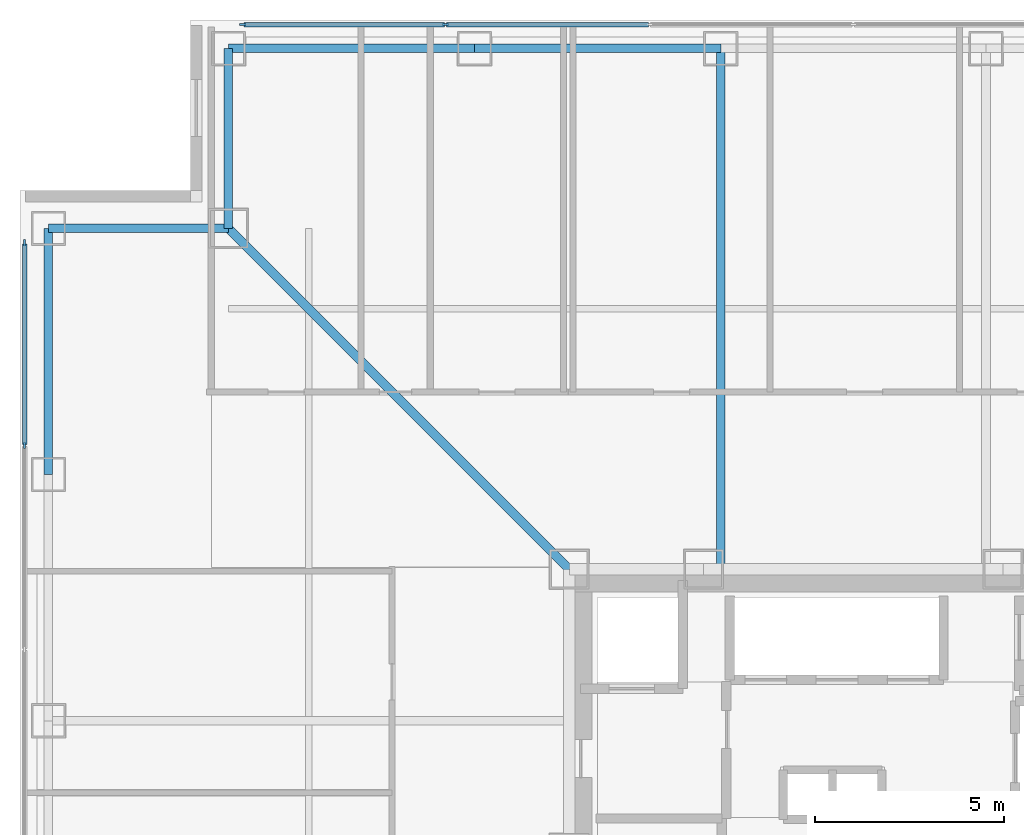
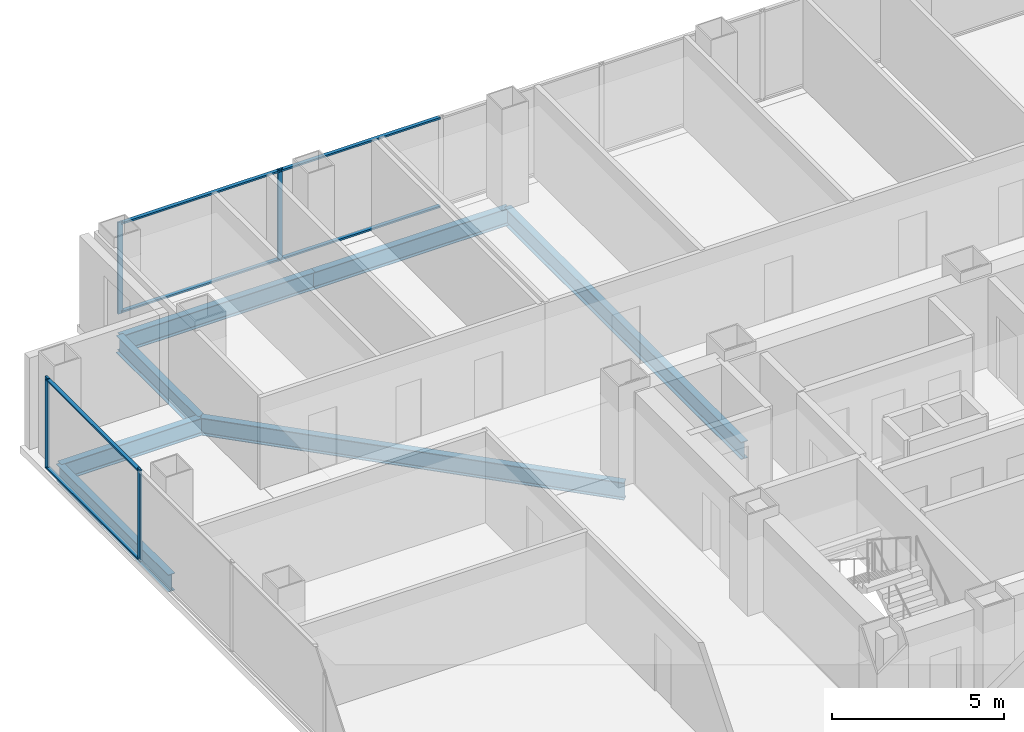
# One storey, part 9 of 18: 10 members, 7 beams, 2 elements without a shape of their own.
"""IFC4 building model written with IfcOpenShell, lengths in metres."""

import ifcopenshell
import ifcopenshell.guid

model = None  # the IFC model being written
_history = None  # IfcOwnerHistory: only IFC2X3 demands one
_inside = {}  # id of a spatial element -> (the spatial element, [elements in it])
_under = {}  # id of a project, library or spatial element -> (it, [spatial elements below it])
_declared = {}  # id of a project -> (the project, [libraries it declares])
_typed = {}  # id of a type object -> (the type object, [elements of that type])
_made_of = {}  # id of a material, layer set ... -> (it, [elements and type objects made of it])


def new_model(schema):
    """Start an empty IFC model of exactly this schema.

    Asked for "IFC4X3", IfcOpenShell would pick the latest addendum, in which some entities
    have other attributes; the version numbers below select the first issue.
    IFC2X3 requires an IfcOwnerHistory on every rooted entity: one is made here for all.
    """
    global model, _history
    if schema == "IFC4X3":
        model = ifcopenshell.file(schema_version=(4, 3, 0, 0))
    else:
        model = ifcopenshell.file(schema=schema)
    _inside.clear()
    _under.clear()
    _declared.clear()
    _typed.clear()
    _made_of.clear()
    _history = None
    if model.schema == "IFC2X3":
        org = make("IfcOrganization", Name="unknown")
        user = make(
            "IfcPersonAndOrganization",
            ThePerson=make("IfcPerson", FamilyName="unknown"),
            TheOrganization=org,
        )
        app = make(
            "IfcApplication",
            ApplicationDeveloper=org,
            Version="unknown",
            ApplicationFullName="unknown",
            ApplicationIdentifier="unknown",
        )
        _history = make(
            "IfcOwnerHistory",
            OwningUser=user,
            OwningApplication=app,
            ChangeAction="ADDED",
            CreationDate=0,
        )
    return model


def make(cls, **values):
    """One entity of the class cls with the attributes given. An attribute that is None is left unset."""
    return model.create_entity(
        cls, **{name: value for name, value in values.items() if value is not None}
    )


def rooted(cls, **values):
    """An entity with a GlobalId (a new one), such as an element, a storey or a relation."""
    return make(cls, GlobalId=ifcopenshell.guid.new(), OwnerHistory=_history, **values)


def si_unit(unit_type, name, prefix=None):
    """IfcSIUnit, for example si_unit("LENGTHUNIT", "METRE", prefix="MILLI")."""
    return make("IfcSIUnit", UnitType=unit_type, Prefix=prefix, Name=name)


def assignment(units):
    """IfcUnitAssignment: the units of a project."""
    return None if units is None else make("IfcUnitAssignment", Units=units)


def point(xyz):
    """IfcCartesianPoint."""
    return None if xyz is None else make("IfcCartesianPoint", Coordinates=xyz)


def direction(xyz):
    """IfcDirection."""
    return None if xyz is None else make("IfcDirection", DirectionRatios=xyz)


def frame(location, z_axis=None, x_axis=None):
    """IfcAxis2Placement3D, a coordinate frame: its origin and axes. An axis left out is left unset."""
    return make(
        "IfcAxis2Placement3D",
        Location=point(location),
        Axis=direction(z_axis),
        RefDirection=direction(x_axis),
    )


def frame_2d(location, x_axis=None):
    """IfcAxis2Placement2D, a coordinate frame in the plane: its origin and x axis."""
    return make(
        "IfcAxis2Placement2D", Location=point(location), RefDirection=direction(x_axis)
    )


def origin():
    """The frame at (0, 0, 0) with its axes left unset."""
    return frame((0.0, 0.0, 0.0))


def origin_2d():
    """The frame at (0, 0) in the plane with its x axis left unset."""
    return frame_2d((0.0, 0.0))


def place(relative_to, where):
    """IfcLocalPlacement: puts the frame where relative to a parent placement (None: the world)."""
    return make(
        "IfcLocalPlacement", PlacementRelTo=relative_to, RelativePlacement=where
    )


def context(
    kind, dimensions, precision=None, world=None, true_north=None, identifier=None
):
    """IfcGeometricRepresentationContext, for example the 3D "Model" context."""
    return make(
        "IfcGeometricRepresentationContext",
        ContextIdentifier=identifier,
        ContextType=kind,
        CoordinateSpaceDimension=dimensions,
        Precision=precision,
        WorldCoordinateSystem=world,
        TrueNorth=true_north,
    )


def subcontext(parent, identifier, kind, view, scale=None):
    """IfcGeometricRepresentationSubContext, for example "Body" below "Model"."""
    return make(
        "IfcGeometricRepresentationSubContext",
        ContextIdentifier=identifier,
        ContextType=kind,
        ParentContext=parent,
        TargetScale=scale,
        TargetView=view,
    )


def project(units=None, contexts=None):
    """IfcProject with its units and contexts."""
    return rooted(
        "IfcProject",
        Name="project",
        RepresentationContexts=contexts,
        UnitsInContext=assignment(units),
    )


def spatial(cls, under=None, at=None, **own):
    """A site, building, storey or space (cls), placed at a placement, below another one or the project."""
    s = rooted(cls, ObjectPlacement=at, **own)
    if under is not None:
        _under.setdefault(under.id(), (under, []))[1].append(s)
    return s


def profile(cls, at=None, kind="AREA", **sizes):
    """A parametric profile (cls). Its sizes go by their IFC names, for example OverallWidth=200.0."""
    return make(cls, ProfileType=kind, Position=at, **sizes)


def rectangle(**sizes):
    """IfcRectangleProfileDef."""
    return profile("IfcRectangleProfileDef", **sizes)


def i_section(**sizes):
    """IfcIShapeProfileDef."""
    return profile("IfcIShapeProfileDef", **sizes)


def extrude(swept, where, along, depth):
    """IfcExtrudedAreaSolid: the profile swept, set in the frame where, extruded along a direction by depth."""
    return make(
        "IfcExtrudedAreaSolid",
        SweptArea=swept,
        Position=where,
        ExtrudedDirection=direction(along),
        Depth=depth,
    )


def shape(context_of_items, identifier, shape_type, items):
    """IfcShapeRepresentation: the items that make up one representation, for example the "Body"."""
    return make(
        "IfcShapeRepresentation",
        ContextOfItems=context_of_items,
        RepresentationIdentifier=identifier,
        RepresentationType=shape_type,
        Items=items,
    )


def material(Name=None, Category=None):
    """IfcMaterial."""
    return make("IfcMaterial", Name=Name, Category=Category)


def layer(
    of_material, thickness, ventilated=None, Name=None, Category=None, Priority=None
):
    """IfcMaterialLayer: one layer of a wall or slab, of a material (None: an air gap)."""
    return make(
        "IfcMaterialLayer",
        Material=of_material,
        LayerThickness=thickness,
        IsVentilated=ventilated,
        Name=Name,
        Category=Category,
        Priority=Priority,
    )


def layer_set(layers, Name=None):
    """IfcMaterialLayerSet."""
    return make("IfcMaterialLayerSet", MaterialLayers=layers, LayerSetName=Name)


def material_profile(
    of_material, cross_section, Name=None, Category=None, Priority=None
):
    """IfcMaterialProfile: a cross section and its material."""
    return make(
        "IfcMaterialProfile",
        Name=Name,
        Material=of_material,
        Profile=cross_section,
        Priority=Priority,
        Category=Category,
    )


def profile_set(profiles, Name=None, composite=None):
    """IfcMaterialProfileSet."""
    return make(
        "IfcMaterialProfileSet",
        Name=Name,
        MaterialProfiles=profiles,
        CompositeProfile=composite,
    )


def made_of(thing, what):
    """Note that an element or type object is made of a material, layer set ...; save() writes the relation."""
    if what is not None:
        _made_of.setdefault(what.id(), (what, []))[1].append(thing)
    return thing


def type_object(cls, material=None, **own):
    """A type object (cls), such as IfcWallType, which elements share."""
    return made_of(rooted(cls, **own), material)


def element(
    cls,
    number,
    at=None,
    inside=None,
    cuts=None,
    type_object=None,
    material=None,
    context=None,
    identifier="Body",
    shape_type=None,
    held_by="IfcProductDefinitionShape",
    body=None,
    shapes=None,
    **own,
):
    """One element of the class cls, such as IfcWall. Its Tag is "e" and its number.

    at: its placement. inside: the storey or other place that contains it. cuts: it is an
    opening in that element (IfcRelVoidsElement). A single representation is given by context,
    identifier, shape_type and body (its items); several are given by shapes. held_by: the class
    of the entity that holds the representations. save() writes the other relations.
    """
    e = rooted(cls, Tag="e%d" % number, ObjectPlacement=at, **own)
    if body is not None:
        shapes = [shape(context, identifier, shape_type, body)]
    if shapes is not None:
        e.Representation = make(held_by, Representations=shapes)
    if inside is not None:
        _inside.setdefault(inside.id(), (inside, []))[1].append(e)
    if cuts is not None:
        rooted(
            "IfcRelVoidsElement", RelatingBuildingElement=cuts, RelatedOpeningElement=e
        )
    if type_object is not None:
        _typed.setdefault(type_object.id(), (type_object, []))[1].append(e)
    return made_of(e, material)


def aggregate(whole, parts):
    """IfcRelAggregates: a whole, such as a stair, and the parts it consists of."""
    return rooted("IfcRelAggregates", RelatingObject=whole, RelatedObjects=parts)


def save(model, path):
    """Write the relations noted so far, then the file.

    IfcRelAggregates (storeys below a building ...), IfcRelContainedInSpatialStructure (elements
    in a storey), IfcRelDefinesByType, IfcRelAssociatesMaterial and IfcRelDeclares: one each for
    every whole, place, type object, material and project.
    """
    for whole, parts in _under.values():
        aggregate(whole, parts)
    for where, things in _inside.values():
        rooted(
            "IfcRelContainedInSpatialStructure",
            RelatedElements=things,
            RelatingStructure=where,
        )
    for kind, things in _typed.values():
        rooted("IfcRelDefinesByType", RelatedObjects=things, RelatingType=kind)
    for what, things in _made_of.values():
        rooted("IfcRelAssociatesMaterial", RelatedObjects=things, RelatingMaterial=what)
    for by, libraries in _declared.values():
        rooted("IfcRelDeclares", RelatingContext=by, RelatedDefinitions=libraries)
    model.write(path)


model = new_model("IFC4")

# Units and contexts
model_context = context("Model", 3, precision=1e-05, world=origin(), true_north=direction((0.0, 1.0)))
body_context = subcontext(model_context, "Body", "Model", "MODEL_VIEW")
ifc_project = project(units=[si_unit("LENGTHUNIT", "METRE"), si_unit("AREAUNIT", "SQUARE_METRE"), si_unit("VOLUMEUNIT", "CUBIC_METRE"), si_unit("PLANEANGLEUNIT", "RADIAN"), si_unit("MASSUNIT", "GRAM", prefix="KILO")], contexts=[model_context])

# Site, building, storey
site_placement = place(None, origin())
site = spatial("IfcSite", under=ifc_project, at=site_placement, CompositionType="ELEMENT")
building_placement = place(site_placement, origin())
building = spatial("IfcBuilding", under=site, at=building_placement, Name="Trevonay Congress Spire", CompositionType="ELEMENT")
storey_placement = place(building_placement, frame((0.0, 0.0, 151.60009765625)))
storey = spatial("IfcBuildingStorey", under=building, at=storey_placement, Name="L39", CompositionType="ELEMENT", Elevation=151.60009765625)

# Beams
ifc_material_1 = material(Name="Steel ASTM A572 Grade 50", Category="steel")
ifc_material_profile_1 = material_profile(ifc_material_1, i_section(OverallWidth=0.22998046875, OverallDepth=0.616943359375, WebThickness=0.01318359375, FlangeThickness=0.022216796875, FilletRadius=0.01611328125, at=origin_2d()), Name="W610x140")
ifc_profile_set_1 = profile_set([ifc_material_profile_1], Name="Steel ASTM A572 Grade 50")
beam_type_1 = type_object("IfcBeamType", Name="BM-GIRD-W610X140", PredefinedType="BEAM", material=ifc_profile_set_1)
beam_1_placement = place(storey_placement, frame((-7.5, 7.5, -0.548583984375), z_axis=(-0.707106781187, 0.707106781187, 0.0), x_axis=(-0.707106781187, -0.707106781187, 0.0)))
element("IfcBeam", 1, at=beam_1_placement, inside=storey, type_object=beam_type_1, Name="L39 structural beam BM-L39-CDNW", PredefinedType="BEAM", context=body_context, shape_type="SweptSolid", body=[
    extrude(i_section(OverallWidth=0.22998046875, OverallDepth=0.616943359375, WebThickness=0.01318359375, FlangeThickness=0.022216796875, FilletRadius=0.01611328125, at=origin_2d()), origin(), (0.0, 0.0, 1.0), 12.72802734375),
])
beam_2_placement = place(storey_placement, frame((-3.5, 7.5, -0.548583984375), z_axis=(0.0, 1.0, 0.0), x_axis=(-1.0, 0.0, 0.0)))
element("IfcBeam", 2, at=beam_2_placement, inside=storey, type_object=beam_type_1, Name="L39 structural beam BM-L39-GN-M", PredefinedType="BEAM", context=body_context, shape_type="SweptSolid", body=[
    extrude(i_section(OverallWidth=0.22998046875, OverallDepth=0.616943359375, WebThickness=0.01318359375, FlangeThickness=0.022216796875, FilletRadius=0.01611328125, at=origin_2d()), origin(), (0.0, 0.0, 1.0), 13.75),
])
ifc_material_profile_2 = material_profile(ifc_material_1, i_section(OverallWidth=0.22802734375, OverallDepth=0.60791015625, WebThickness=0.01123046875, FlangeThickness=0.017333984375, FilletRadius=0.01611328125, at=origin_2d()), Name="W610x113")
ifc_profile_set_2 = profile_set([ifc_material_profile_2], Name="Steel ASTM A572 Grade 50")
beam_type_2 = type_object("IfcBeamType", Name="BM-RING-W610X113", PredefinedType="BEAM", material=ifc_profile_set_2)
for number, where, z_axis, x_axis, name in (
    (3, (-16.5, 21.25, -0.544189453125), (1.0, 0.0, 0.0), (0.0, 1.0, 0.0), "L39 structural beam BM-L39-PN1"),
    (4, (-10.0, 21.25, -0.544189453125), (1.0, 0.0, 0.0), (0.0, 1.0, 0.0), "L39 structural beam BM-L39-PN2"),
    (5, (-21.25, 10.0, -0.544189453125), (0.0, 1.0, 0.0), (-1.0, 0.0, 0.0), "L39 structural beam BM-L39-PW5"),
):
    element("IfcBeam", number, at=place(storey_placement, frame(where, z_axis=z_axis, x_axis=x_axis)), inside=storey, type_object=beam_type_2, Name=name, PredefinedType="BEAM", context=body_context, shape_type="SweptSolid", body=[
        extrude(i_section(OverallWidth=0.22802734375, OverallDepth=0.60791015625, WebThickness=0.01123046875, FlangeThickness=0.017333984375, FilletRadius=0.01611328125, at=origin_2d()), origin(), (0.0, 0.0, 1.0), 6.5),
    ])
for number, where, z_axis, x_axis, name in (
    (6, (-16.5, 21.25, -0.544189453125), (0.0, -1.0, 0.0), (1.0, 0.0, 0.0), "L39 structural beam BM-L39-N1NW"),
    (7, (-21.25, 16.5, -0.544189453125), (1.0, 0.0, 0.0), (0.0, 1.0, 0.0), "L39 structural beam BM-L39-N2NW"),
):
    element("IfcBeam", number, at=place(storey_placement, frame(where, z_axis=z_axis, x_axis=x_axis)), inside=storey, type_object=beam_type_2, Name=name, PredefinedType="BEAM", context=body_context, shape_type="SweptSolid", body=[
        extrude(i_section(OverallWidth=0.22802734375, OverallDepth=0.60791015625, WebThickness=0.01123046875, FlangeThickness=0.017333984375, FilletRadius=0.01611328125, at=origin_2d()), origin(), (0.0, 0.0, 1.0), 4.75),
    ])

# Curtain wall, members
ifc_material_2 = material(Name="Pale Anodised Aluminium EN AW-6063-T6", Category="aluminium")
ifc_layer = layer(ifc_material_2, 0.175048828125, Name="Pale Anodised Aluminium EN AW-6063-T6")
ifc_layer_set = layer_set([ifc_layer], Name="Pale Anodised Aluminium EN AW-6063-T6")
curtain_wall_type = type_object("IfcCurtainWallType", Name="CW-SYS03-CONGRESS-PALE-METAL", PredefinedType="NOTDEFINED", material=ifc_layer_set)
curtain_wall_1_placement = place(storey_placement, origin())
curtain_wall_1 = element("IfcCurtainWall", 8, at=curtain_wall_1_placement, inside=storey, type_object=curtain_wall_type, Name="L39 N unitised curtain wall", PredefinedType="NOTDEFINED")
ifc_material_profile_3 = material_profile(ifc_material_2, rectangle(XDim=0.06005859375, YDim=0.159912109375, at=origin_2d()), Name="CW-MULLION-160-ALUMINIUM")
ifc_profile_set_3 = profile_set([ifc_material_profile_3], Name="Pale Anodised Aluminium EN AW-6063-T6")
member_type_1 = type_object("IfcMemberType", Name="CW-MULLION-160-ALUMINIUM", PredefinedType="MULLION", material=ifc_profile_set_3)
member_1_placement = place(storey_placement, frame((-16.1201171875, 21.8798828125, 0.0), z_axis=(0.0, 0.0, 1.0), x_axis=(0.0, 1.0, 0.0)))
member_1 = element("IfcMember", 9, at=member_1_placement, type_object=member_type_1, Name="CW03 mullion 1", PredefinedType="MULLION", context=body_context, shape_type="SweptSolid", body=[
    extrude(rectangle(XDim=0.06005859375, YDim=0.159912109375, at=origin_2d()), origin(), (0.0, 0.0, 1.0), 3.25),
])
member_2_placement = place(storey_placement, frame((-10.7666015625, 21.8798828125, 0.0), z_axis=(0.0, 0.0, 1.0), x_axis=(0.0, 1.0, 0.0)))
member_2 = element("IfcMember", 10, at=member_2_placement, type_object=member_type_1, Name="CW03 mullion 2", PredefinedType="MULLION", context=body_context, shape_type="SweptSolid", body=[
    extrude(rectangle(XDim=0.06005859375, YDim=0.159912109375, at=origin_2d()), origin(), (0.0, 0.0, 1.0), 3.25),
])

curtain_wall_2_placement = place(storey_placement, origin())
curtain_wall_2 = element("IfcCurtainWall", 11, at=curtain_wall_2_placement, inside=storey, type_object=curtain_wall_type, Name="L39 W unitised curtain wall", PredefinedType="NOTDEFINED")
member_3_placement = place(storey_placement, frame((-21.8798828125, 10.7666015625, 0.0), z_axis=(0.0, 0.0, 1.0), x_axis=(-1.0, 0.0, 0.0)))
member_3 = element("IfcMember", 12, at=member_3_placement, type_object=member_type_1, Name="CW03 mullion 6", PredefinedType="MULLION", context=body_context, shape_type="SweptSolid", body=[
    extrude(rectangle(XDim=0.06005859375, YDim=0.159912109375, at=origin_2d()), origin(), (0.0, 0.0, 1.0), 3.25),
])
member_4_placement = place(storey_placement, frame((-21.8798828125, 16.1201171875, 0.0), z_axis=(0.0, 0.0, 1.0), x_axis=(-1.0, 0.0, 0.0)))
member_4 = element("IfcMember", 13, at=member_4_placement, type_object=member_type_1, Name="CW03 mullion 7", PredefinedType="MULLION", context=body_context, shape_type="SweptSolid", body=[
    extrude(rectangle(XDim=0.06005859375, YDim=0.159912109375, at=origin_2d()), origin(), (0.0, 0.0, 1.0), 3.25),
])

# Member
ifc_material_profile_4 = material_profile(ifc_material_2, rectangle(XDim=0.1201171875, YDim=0.06005859375, at=origin_2d()), Name="CW-TRANSOM-120-ALUMINIUM")
ifc_profile_set_4 = profile_set([ifc_material_profile_4], Name="Pale Anodised Aluminium EN AW-6063-T6")
member_type_2 = type_object("IfcMemberType", Name="CW-TRANSOM-120-ALUMINIUM", PredefinedType="USERDEFINED", material=ifc_profile_set_4)
member_5_placement = place(storey_placement, frame((-16.090087890625, 21.8798828125, 0.059814453125), z_axis=(1.0, 0.0, 0.0), x_axis=(0.0, 1.0, 0.0)))
member_5 = element("IfcMember", 14, at=member_5_placement, type_object=member_type_2, Name="CW03 transom 1.1", ObjectType="TRANSOM", PredefinedType="USERDEFINED", context=body_context, shape_type="SweptSolid", body=[
    extrude(rectangle(XDim=0.1201171875, YDim=0.06005859375, at=origin_2d()), origin(), (0.0, 0.0, 1.0), 5.29345703125),
])

member_6_placement = place(storey_placement, frame((-16.090087890625, 21.8798828125, 3.18994140625), z_axis=(1.0, 0.0, 0.0), x_axis=(0.0, 1.0, 0.0)))
member_6 = element("IfcMember", 15, at=member_6_placement, type_object=member_type_2, Name="CW03 transom 1.2", ObjectType="TRANSOM", PredefinedType="USERDEFINED", context=body_context, shape_type="SweptSolid", body=[
    extrude(rectangle(XDim=0.1201171875, YDim=0.06005859375, at=origin_2d()), origin(), (0.0, 0.0, 1.0), 5.29345703125),
])

member_7_placement = place(storey_placement, frame((-10.736572265625, 21.8798828125, 0.059814453125), z_axis=(1.0, 0.0, 0.0), x_axis=(0.0, 1.0, 0.0)))
member_7 = element("IfcMember", 16, at=member_7_placement, type_object=member_type_2, Name="CW03 transom 2.1", ObjectType="TRANSOM", PredefinedType="USERDEFINED", context=body_context, shape_type="SweptSolid", body=[
    extrude(rectangle(XDim=0.1201171875, YDim=0.06005859375, at=origin_2d()), origin(), (0.0, 0.0, 1.0), 5.3232421875),
])

member_8_placement = place(storey_placement, frame((-10.736572265625, 21.8798828125, 3.18994140625), z_axis=(1.0, 0.0, 0.0), x_axis=(0.0, 1.0, 0.0)))
member_8 = element("IfcMember", 17, at=member_8_placement, type_object=member_type_2, Name="CW03 transom 2.2", ObjectType="TRANSOM", PredefinedType="USERDEFINED", context=body_context, shape_type="SweptSolid", body=[
    extrude(rectangle(XDim=0.1201171875, YDim=0.06005859375, at=origin_2d()), origin(), (0.0, 0.0, 1.0), 5.3232421875),
])

aggregate(curtain_wall_1, [member_1, member_2, member_5, member_6, member_7, member_8])

member_9_placement = place(storey_placement, frame((-21.8798828125, 10.796630859375, 0.059814453125), z_axis=(0.0, 1.0, 0.0), x_axis=(-1.0, 0.0, 0.0)))
member_9 = element("IfcMember", 18, at=member_9_placement, type_object=member_type_2, Name="CW03 transom 6.1", ObjectType="TRANSOM", PredefinedType="USERDEFINED", context=body_context, shape_type="SweptSolid", body=[
    extrude(rectangle(XDim=0.1201171875, YDim=0.06005859375, at=origin_2d()), origin(), (0.0, 0.0, 1.0), 5.29345703125),
])

member_10_placement = place(storey_placement, frame((-21.8798828125, 10.796630859375, 3.18994140625), z_axis=(0.0, 1.0, 0.0), x_axis=(-1.0, 0.0, 0.0)))
member_10 = element("IfcMember", 19, at=member_10_placement, type_object=member_type_2, Name="CW03 transom 6.2", ObjectType="TRANSOM", PredefinedType="USERDEFINED", context=body_context, shape_type="SweptSolid", body=[
    extrude(rectangle(XDim=0.1201171875, YDim=0.06005859375, at=origin_2d()), origin(), (0.0, 0.0, 1.0), 5.29345703125),
])

aggregate(curtain_wall_2, [member_3, member_4, member_9, member_10])

save(model, "model.ifc")
